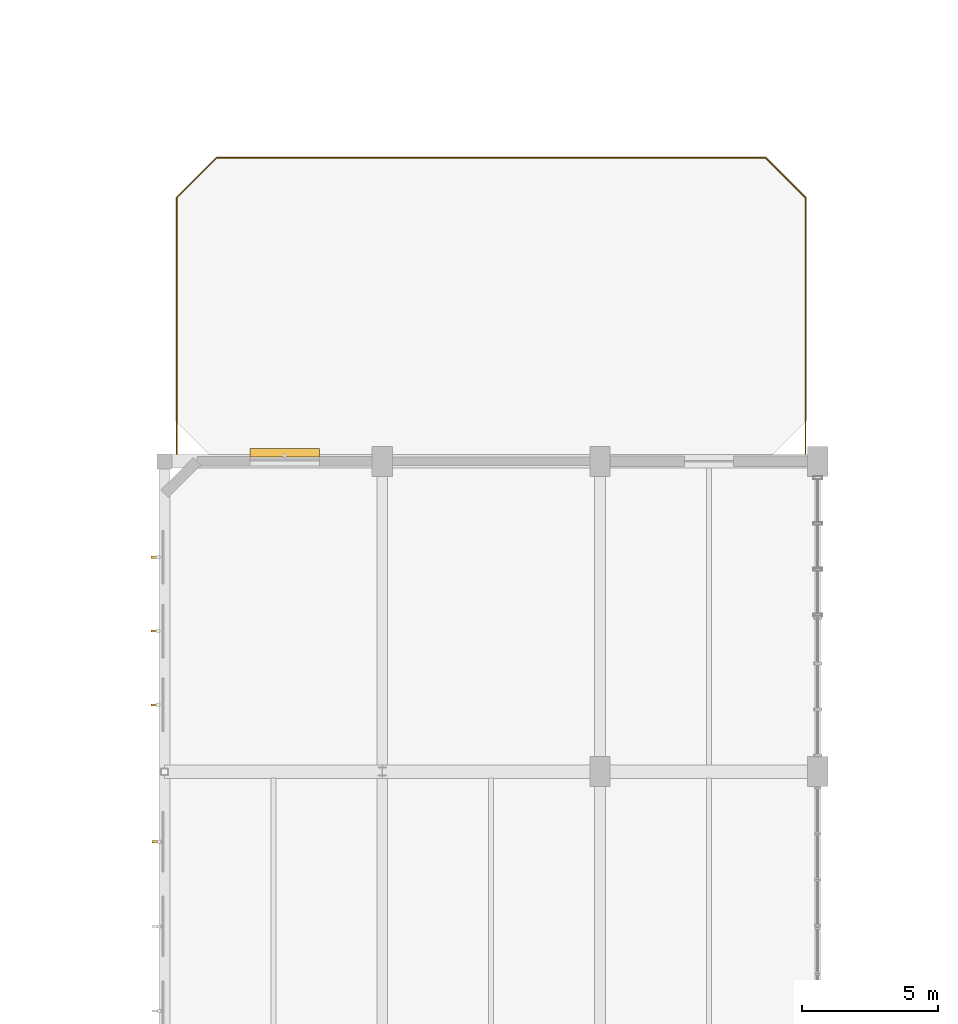
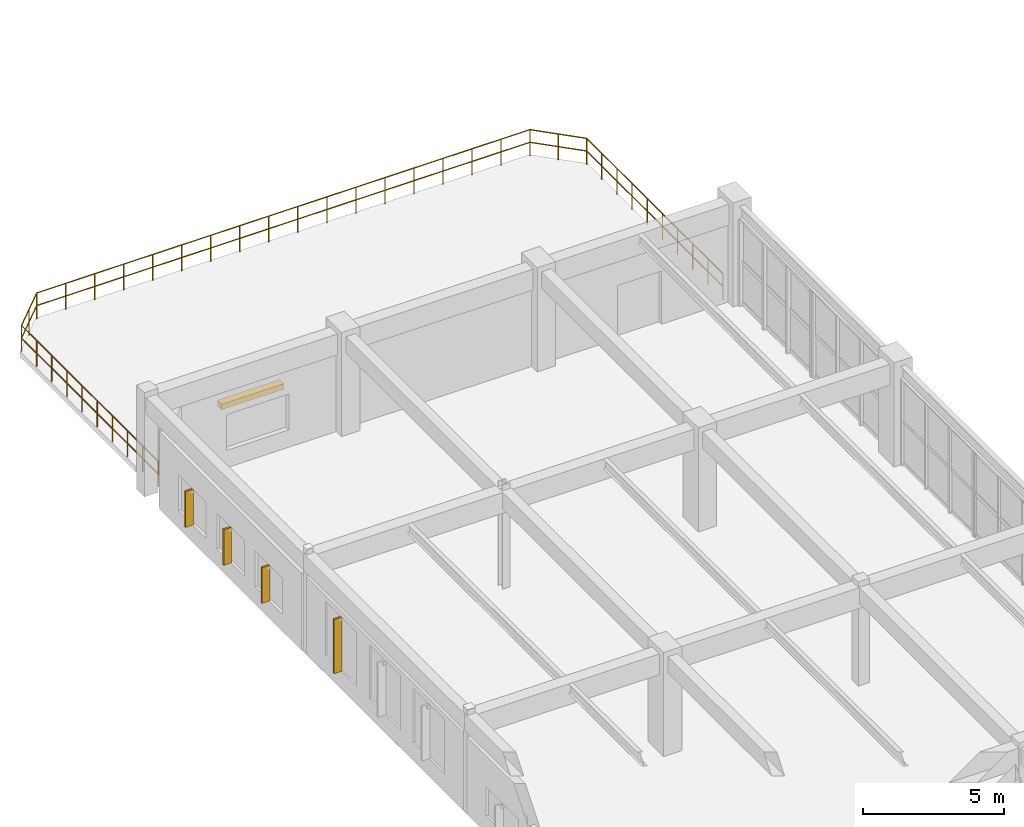
# One storey, part 78 of 80: 5 shading devices, 1 railing.
"""IFC4 building model written with IfcOpenShell, lengths in metres."""

from ifc_helpers import new_model, si_unit, direction, frame, origin, origin_2d, place, context, subcontext, project, spatial, rectangle, circle, extrude, material, layer, layer_set, type_object, element, save


model = new_model("IFC4")

# Units and contexts
model_context = context("Model", 3, precision=1e-05, world=origin(), true_north=direction((0.0, 1.0)))
body_context = subcontext(model_context, "Body", "Model", "MODEL_VIEW")
ifc_project = project(units=[si_unit("LENGTHUNIT", "METRE"), si_unit("AREAUNIT", "SQUARE_METRE"), si_unit("VOLUMEUNIT", "CUBIC_METRE"), si_unit("PLANEANGLEUNIT", "RADIAN"), si_unit("MASSUNIT", "GRAM", prefix="KILO"), si_unit("POWERUNIT", "WATT"), si_unit("THERMODYNAMICTEMPERATUREUNIT", "KELVIN")], contexts=[model_context])

# Site, building, storey
site_placement = place(None, origin())
site = spatial("IfcSite", under=ifc_project, at=site_placement, CompositionType="ELEMENT")
building_placement = place(site_placement, origin())
building = spatial("IfcBuilding", under=site, at=building_placement, Name="Kelmbourne Parkland Aquatics Centre", CompositionType="ELEMENT")
storey_placement = place(building_placement, frame((0.0, 0.0, 10.199951171875)))
storey = spatial("IfcBuildingStorey", under=building, at=storey_placement, Name="L02", CompositionType="ELEMENT", Elevation=10.199951171875)

# Railing
ifc_material_1 = material(Name="Grade 316 stainless steel and laminated glass balustrade", Category="glass")
ifc_layer = layer(ifc_material_1, 0.06005859375)
ifc_layer_set = layer_set([ifc_layer], Name="Grade 316 stainless steel and laminated glass balustrade")
railing_type = type_object("IfcRailingType", Name="RL-BL-114", PredefinedType="BALUSTRADE", material=ifc_layer_set)
railing_placement = place(storey_placement, frame((16.449951171875, 80.6201171875, 0.0)))
element("IfcRailing", 1, at=railing_placement, inside=storey, type_object=railing_type, Name="Safety balustrade BAL-TER-L02-V5", PredefinedType="BALUSTRADE", context=body_context, shape_type="SweptSolid", body=[
    extrude(circle(Radius=0.02392578125, at=origin_2d()), frame((0.0, 0.0, 1.11572265625), z_axis=(0.0, 1.0, 0.0), x_axis=(-1.0, 0.0, 0.0)), (0.0, 0.0, 1.0), 9.659912109375),
    extrude(circle(Radius=0.02392578125, at=origin_2d()), frame((0.0, 0.0, 0.56982421875), z_axis=(0.0, 1.0, 0.0), x_axis=(-1.0, 0.0, 0.0)), (0.0, 0.0, 1.0), 9.659912109375),
    extrude(circle(Radius=0.02392578125, at=origin_2d()), frame((0.0, 9.659912109375, 1.11572265625), z_axis=(0.707106781187, 0.707106781187, 0.0), x_axis=(-0.707106781187, 0.707106781187, 0.0)), (0.0, 0.0, 1.0), 2.078857421875),
    extrude(circle(Radius=0.02392578125, at=origin_2d()), frame((0.0, 9.659912109375, 0.56982421875), z_axis=(0.707106781187, 0.707106781187, 0.0), x_axis=(-0.707106781187, 0.707106781187, 0.0)), (0.0, 0.0, 1.0), 2.078857421875),
    extrude(circle(Radius=0.02392578125, at=origin_2d()), frame((1.469970703125, 11.1298828125, 1.11572265625), z_axis=(1.0, 0.0, 0.0), x_axis=(0.0, 1.0, 0.0)), (0.0, 0.0, 1.0), 20.16015625),
    extrude(circle(Radius=0.02392578125, at=origin_2d()), frame((1.469970703125, 11.1298828125, 0.56982421875), z_axis=(1.0, 0.0, 0.0), x_axis=(0.0, 1.0, 0.0)), (0.0, 0.0, 1.0), 20.16015625),
    extrude(circle(Radius=0.02392578125, at=origin_2d()), frame((21.630126953125, 11.1298828125, 1.11572265625), z_axis=(0.707106781187, -0.707106781187, 0.0), x_axis=(0.707106781187, 0.707106781187, 0.0)), (0.0, 0.0, 1.0), 2.078857421875),
    extrude(circle(Radius=0.02392578125, at=origin_2d()), frame((21.630126953125, 11.1298828125, 0.56982421875), z_axis=(0.707106781187, -0.707106781187, 0.0), x_axis=(0.707106781187, 0.707106781187, 0.0)), (0.0, 0.0, 1.0), 2.078857421875),
    extrude(circle(Radius=0.02392578125, at=origin_2d()), frame((23.10009765625, 9.659912109375, 1.11572265625), z_axis=(0.0, -1.0, 0.0), x_axis=(1.0, 0.0, 0.0)), (0.0, 0.0, 1.0), 9.659912109375),
    extrude(circle(Radius=0.02392578125, at=origin_2d()), frame((23.10009765625, 9.659912109375, 0.56982421875), z_axis=(0.0, -1.0, 0.0), x_axis=(1.0, 0.0, 0.0)), (0.0, 0.0, 1.0), 9.659912109375),
    extrude(circle(Radius=0.02099609375, at=origin_2d()), origin(), (0.0, 0.0, 1.0), 1.091796875),
    extrude(circle(Radius=0.02099609375, at=origin_2d()), frame((0.0, 1.0732421875, 0.0)), (0.0, 0.0, 1.0), 1.091796875),
    extrude(circle(Radius=0.02099609375, at=origin_2d()), frame((0.0, 2.146728515625, 0.0)), (0.0, 0.0, 1.0), 1.091796875),
    extrude(circle(Radius=0.02099609375, at=origin_2d()), frame((0.0, 3.219970703125, 0.0)), (0.0, 0.0, 1.0), 1.091796875),
    extrude(circle(Radius=0.02099609375, at=origin_2d()), frame((0.0, 4.293212890625, 0.0)), (0.0, 0.0, 1.0), 1.091796875),
    extrude(circle(Radius=0.02099609375, at=origin_2d()), frame((0.0, 5.36669921875, 0.0)), (0.0, 0.0, 1.0), 1.091796875),
    extrude(circle(Radius=0.02099609375, at=origin_2d()), frame((0.0, 6.43994140625, 0.0)), (0.0, 0.0, 1.0), 1.091796875),
    extrude(circle(Radius=0.02099609375, at=origin_2d()), frame((0.0, 7.51318359375, 0.0)), (0.0, 0.0, 1.0), 1.091796875),
    extrude(circle(Radius=0.02099609375, at=origin_2d()), frame((0.0, 8.586669921875, 0.0)), (0.0, 0.0, 1.0), 1.091796875),
    extrude(circle(Radius=0.02099609375, at=origin_2d()), frame((0.0, 9.659912109375, 0.0)), (0.0, 0.0, 1.0), 1.091796875),
    extrude(circle(Radius=0.02099609375, at=origin_2d()), frame((0.73486328125, 10.39501953125, 0.0)), (0.0, 0.0, 1.0), 1.091796875),
    extrude(circle(Radius=0.02099609375, at=origin_2d()), frame((1.469970703125, 11.1298828125, 0.0)), (0.0, 0.0, 1.0), 1.091796875),
    extrude(circle(Radius=0.02099609375, at=origin_2d()), frame((2.65576171875, 11.1298828125, 0.0)), (0.0, 0.0, 1.0), 1.091796875),
    extrude(circle(Radius=0.02099609375, at=origin_2d()), frame((3.841796875, 11.1298828125, 0.0)), (0.0, 0.0, 1.0), 1.091796875),
    extrude(circle(Radius=0.02099609375, at=origin_2d()), frame((5.027587890625, 11.1298828125, 0.0)), (0.0, 0.0, 1.0), 1.091796875),
    extrude(circle(Radius=0.02099609375, at=origin_2d()), frame((6.213623046875, 11.1298828125, 0.0)), (0.0, 0.0, 1.0), 1.091796875),
    extrude(circle(Radius=0.02099609375, at=origin_2d()), frame((7.3994140625, 11.1298828125, 0.0)), (0.0, 0.0, 1.0), 1.091796875),
    extrude(circle(Radius=0.02099609375, at=origin_2d()), frame((8.585205078125, 11.1298828125, 0.0)), (0.0, 0.0, 1.0), 1.091796875),
    extrude(circle(Radius=0.02099609375, at=origin_2d()), frame((9.771240234375, 11.1298828125, 0.0)), (0.0, 0.0, 1.0), 1.091796875),
    extrude(circle(Radius=0.02099609375, at=origin_2d()), frame((10.95703125, 11.1298828125, 0.0)), (0.0, 0.0, 1.0), 1.091796875),
    extrude(circle(Radius=0.02099609375, at=origin_2d()), frame((12.14306640625, 11.1298828125, 0.0)), (0.0, 0.0, 1.0), 1.091796875),
    extrude(circle(Radius=0.02099609375, at=origin_2d()), frame((13.328857421875, 11.1298828125, 0.0)), (0.0, 0.0, 1.0), 1.091796875),
    extrude(circle(Radius=0.02099609375, at=origin_2d()), frame((14.514892578125, 11.1298828125, 0.0)), (0.0, 0.0, 1.0), 1.091796875),
    extrude(circle(Radius=0.02099609375, at=origin_2d()), frame((15.70068359375, 11.1298828125, 0.0)), (0.0, 0.0, 1.0), 1.091796875),
    extrude(circle(Radius=0.02099609375, at=origin_2d()), frame((16.886474609375, 11.1298828125, 0.0)), (0.0, 0.0, 1.0), 1.091796875),
    extrude(circle(Radius=0.02099609375, at=origin_2d()), frame((18.072509765625, 11.1298828125, 0.0)), (0.0, 0.0, 1.0), 1.091796875),
    extrude(circle(Radius=0.02099609375, at=origin_2d()), frame((19.25830078125, 11.1298828125, 0.0)), (0.0, 0.0, 1.0), 1.091796875),
    extrude(circle(Radius=0.02099609375, at=origin_2d()), frame((20.4443359375, 11.1298828125, 0.0)), (0.0, 0.0, 1.0), 1.091796875),
    extrude(circle(Radius=0.02099609375, at=origin_2d()), frame((21.630126953125, 11.1298828125, 0.0)), (0.0, 0.0, 1.0), 1.091796875),
    extrude(circle(Radius=0.02099609375, at=origin_2d()), frame((22.365234375, 10.39501953125, 0.0)), (0.0, 0.0, 1.0), 1.091796875),
    extrude(circle(Radius=0.02099609375, at=origin_2d()), frame((23.10009765625, 9.659912109375, 0.0)), (0.0, 0.0, 1.0), 1.091796875),
    extrude(circle(Radius=0.02099609375, at=origin_2d()), frame((23.10009765625, 8.586669921875, 0.0)), (0.0, 0.0, 1.0), 1.091796875),
    extrude(circle(Radius=0.02099609375, at=origin_2d()), frame((23.10009765625, 7.51318359375, 0.0)), (0.0, 0.0, 1.0), 1.091796875),
    extrude(circle(Radius=0.02099609375, at=origin_2d()), frame((23.10009765625, 6.43994140625, 0.0)), (0.0, 0.0, 1.0), 1.091796875),
    extrude(circle(Radius=0.02099609375, at=origin_2d()), frame((23.10009765625, 5.36669921875, 0.0)), (0.0, 0.0, 1.0), 1.091796875),
    extrude(circle(Radius=0.02099609375, at=origin_2d()), frame((23.10009765625, 4.293212890625, 0.0)), (0.0, 0.0, 1.0), 1.091796875),
    extrude(circle(Radius=0.02099609375, at=origin_2d()), frame((23.10009765625, 3.219970703125, 0.0)), (0.0, 0.0, 1.0), 1.091796875),
    extrude(circle(Radius=0.02099609375, at=origin_2d()), frame((23.10009765625, 2.146728515625, 0.0)), (0.0, 0.0, 1.0), 1.091796875),
    extrude(circle(Radius=0.02099609375, at=origin_2d()), frame((23.10009765625, 1.0732421875, 0.0)), (0.0, 0.0, 1.0), 1.091796875),
    extrude(circle(Radius=0.02099609375, at=origin_2d()), frame((23.10009765625, 0.0, 0.0)), (0.0, 0.0, 1.0), 1.091796875),
])

# Shading devices
ifc_material_2 = material(Name="Architectural extruded terracotta baguettes", Category="masonry")
shading_device_type_1 = type_object("IfcShadingDeviceType", Name="SHD-FIN-1", PredefinedType="USERDEFINED", material=ifc_material_2)
shading_device_1_placement = place(storey_placement, frame((15.705078125, 66.623046875, 0.75), z_axis=(0.0, 0.0, 1.0), x_axis=(0.0, 1.0, 0.0)))
element("IfcShadingDevice", 2, at=shading_device_1_placement, inside=storey, type_object=shading_device_type_1, Name="Terracotta vertical solar fin 156", ObjectType="SOLAR FIN", PredefinedType="USERDEFINED", context=body_context, shape_type="SweptSolid", body=[
    extrude(rectangle(XDim=0.080078125, YDim=0.320068359375, at=origin_2d()), origin(), (0.0, 0.0, 1.0), 2.35009765625),
])
for number, where, z_axis, x_axis, name in (
    (3, (15.6650390625, 71.652099609375, 0.75), (0.0, 0.0, 1.0), (0.0, 1.0, 0.0), "Terracotta vertical solar fin 157"),
    (4, (15.6650390625, 74.363525390625, 0.75), (0.0, 0.0, 1.0), (0.0, 1.0, 0.0), "Terracotta vertical solar fin 158"),
    (5, (15.6650390625, 77.074951171875, 0.75), (0.0, 0.0, 1.0), (0.0, 1.0, 0.0), "Terracotta vertical solar fin 159"),
):
    element("IfcShadingDevice", number, at=place(storey_placement, frame(where, z_axis=z_axis, x_axis=x_axis)), inside=storey, type_object=shading_device_type_1, Name=name, ObjectType="SOLAR FIN", PredefinedType="USERDEFINED", context=body_context, shape_type="SweptSolid", body=[
        extrude(rectangle(XDim=0.080078125, YDim=0.320068359375, at=origin_2d()), origin(), (0.0, 0.0, 1.0), 1.550048828125),
    ])
shading_device_type_2 = type_object("IfcShadingDeviceType", Name="SHD-JAL-1", PredefinedType="JALOUSIE", material=ifc_material_2)
shading_device_2_placement = place(storey_placement, frame((20.41162109375, 80.9150390625, 2.30029296875), z_axis=(0.0, 0.0, 1.0), x_axis=(1.0, 0.0, 0.0)))
element("IfcShadingDevice", 6, at=shading_device_2_placement, inside=storey, type_object=shading_device_type_2, Name="Terracotta horizontal jalousie hood 160", PredefinedType="JALOUSIE", context=body_context, shape_type="SweptSolid", body=[
    extrude(rectangle(XDim=2.550048828125, YDim=0.300048828125, at=origin_2d()), origin(), (0.0, 0.0, 1.0), 0.239990234375),
])

save(model, "model.ifc")
